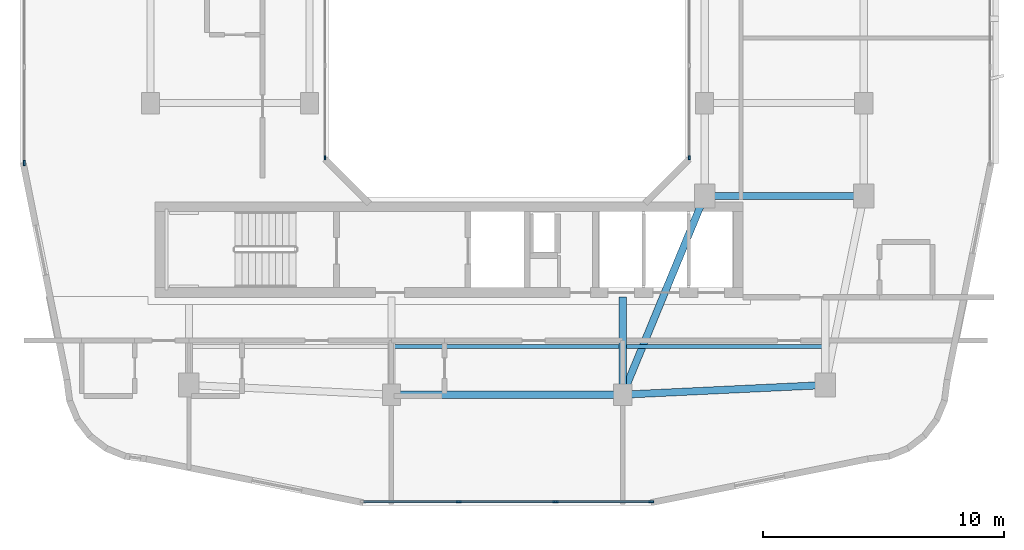
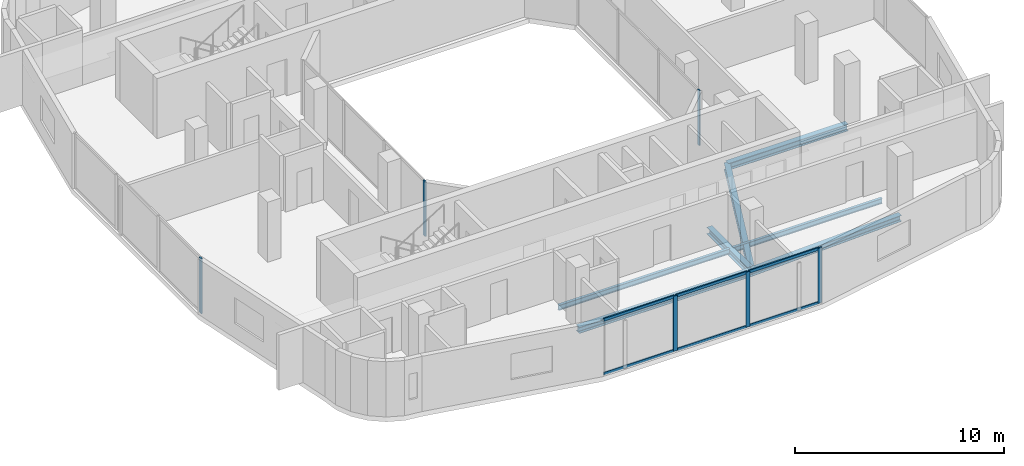
# One storey, part 2 of 14: 12 members, 7 beams, 4 elements without a shape of their own.
"""IFC4 building model written with IfcOpenShell, lengths in metres."""

from ifc_helpers import new_model, si_unit, derived_unit, direction, frame, origin, origin_2d, place, context, subcontext, project, spatial, rectangle, i_section, extrude, material, layer, layer_set, material_profile, profile_set, type_object, element, aggregate, save


model = new_model("IFC4")

# Units and contexts
model_context = context("Model", 3, precision=1e-05, world=origin(), true_north=direction((0.0, 1.0)))
body_context = subcontext(model_context, "Body", "Model", "MODEL_VIEW")
ifc_project = project(units=[si_unit("LENGTHUNIT", "METRE"), si_unit("AREAUNIT", "SQUARE_METRE"), si_unit("VOLUMEUNIT", "CUBIC_METRE"), si_unit("PLANEANGLEUNIT", "RADIAN"), si_unit("MASSUNIT", "GRAM", prefix="KILO"), derived_unit("THERMALTRANSMITTANCEUNIT", [(si_unit("POWERUNIT", "WATT"), 1), (si_unit("LENGTHUNIT", "METRE"), -2), (si_unit("THERMODYNAMICTEMPERATUREUNIT", "KELVIN"), -1)])], contexts=[model_context])

# Site, building, storey
site_placement = place(None, origin())
site = spatial("IfcSite", under=ifc_project, at=site_placement, CompositionType="ELEMENT")
building_placement = place(site_placement, origin())
building = spatial("IfcBuilding", under=site, at=building_placement, Name="Kivonza Crest Hotel", CompositionType="ELEMENT")
storey_placement = place(building_placement, frame((0.0, 0.0, 145.0)))
storey = spatial("IfcBuildingStorey", under=building, at=storey_placement, Name="L39", CompositionType="ELEMENT", Elevation=145.0)

# Beams
ifc_material_1 = material(Name="Steel S355", Category="steel")
ifc_material_profile_1 = material_profile(ifc_material_1, i_section(OverallWidth=0.300048828125, OverallDepth=0.360107421875, WebThickness=0.012451171875, FlangeThickness=0.0224609375, FilletRadius=0.027099609375, at=origin_2d()), Name="HEB 360")
ifc_profile_set_1 = profile_set([ifc_material_profile_1], Name="Steel S355")
beam_type_1 = type_object("IfcBeamType", Name="BM-HEB360", PredefinedType="SPANDREL", material=ifc_profile_set_1)
beam_1_placement = place(storey_placement, frame((16.199951171875, 9.39990234375, -0.4599609375), z_axis=(1.0, 0.0, 0.0), x_axis=(0.0, 1.0, 0.0)))
element("IfcBeam", 1, at=beam_1_placement, inside=storey, type_object=beam_type_1, Name="Tower T1 L39 perimeter spandrel S1-S2", PredefinedType="SPANDREL", context=body_context, shape_type="SweptSolid", body=[
    extrude(i_section(OverallWidth=0.300048828125, OverallDepth=0.360107421875, WebThickness=0.012451171875, FlangeThickness=0.0224609375, FilletRadius=0.027099609375, at=origin_2d()), origin(), (0.0, 0.0, 1.0), 9.60009765625),
])
beam_2_placement = place(storey_placement, frame((25.800048828125, 9.39990234375, -0.4599609375), z_axis=(0.998867283688, 0.047583080799, 0.0), x_axis=(-0.047583080799, 0.998867283688, 0.0)))
element("IfcBeam", 2, at=beam_2_placement, inside=storey, type_object=beam_type_1, Name="Tower T1 L39 perimeter spandrel S2-SE", PredefinedType="SPANDREL", context=body_context, shape_type="SweptSolid", body=[
    extrude(i_section(OverallWidth=0.300048828125, OverallDepth=0.360107421875, WebThickness=0.012451171875, FlangeThickness=0.0224609375, FilletRadius=0.027099609375, at=origin_2d()), origin(), (0.0, 0.0, 1.0), 8.409423828125),
])
ifc_material_profile_2 = material_profile(ifc_material_1, i_section(OverallWidth=0.300048828125, OverallDepth=0.39990234375, WebThickness=0.013427734375, FlangeThickness=0.02392578125, FilletRadius=0.027099609375, at=origin_2d()), Name="HEB 400")
ifc_profile_set_2 = profile_set([ifc_material_profile_2], Name="Steel S355")
beam_type_2 = type_object("IfcBeamType", Name="BM-HEB400", PredefinedType="BEAM", material=ifc_profile_set_2)
beam_3_placement = place(storey_placement, frame((25.800048828125, 9.39990234375, -0.47998046875), z_axis=(0.381022260404, 0.924565864109, 0.0), x_axis=(-0.924565864109, 0.381022260404, 0.0)))
element("IfcBeam", 3, at=beam_3_placement, inside=storey, type_object=beam_type_2, Name="Tower T1 L39 primary girder S1-TSE", PredefinedType="BEAM", context=body_context, shape_type="SweptSolid", body=[
    extrude(i_section(OverallWidth=0.300048828125, OverallDepth=0.39990234375, WebThickness=0.013427734375, FlangeThickness=0.02392578125, FilletRadius=0.027099609375, at=origin_2d()), origin(), (0.0, 0.0, 1.0), 8.923095703125),
])
beam_4_placement = place(storey_placement, frame((29.199951171875, 17.64990234375, -0.47998046875), z_axis=(1.0, 0.0, 0.0), x_axis=(0.0, 1.0, 0.0)))
element("IfcBeam", 4, at=beam_4_placement, inside=storey, type_object=beam_type_2, Name="Tower T1 L39 primary girder TSE-PSE", PredefinedType="BEAM", context=body_context, shape_type="SweptSolid", body=[
    extrude(i_section(OverallWidth=0.300048828125, OverallDepth=0.39990234375, WebThickness=0.013427734375, FlangeThickness=0.02392578125, FilletRadius=0.027099609375, at=origin_2d()), origin(), (0.0, 0.0, 1.0), 6.60009765625),
])
beam_5_placement = place(storey_placement, frame((25.800048828125, 9.39990234375, -0.47998046875), z_axis=(0.0, 1.0, 0.0), x_axis=(-1.0, 0.0, 0.0)))
element("IfcBeam", 5, at=beam_5_placement, inside=storey, type_object=beam_type_2, Name="Tower T1 L39 radial core girder RS2", PredefinedType="BEAM", context=body_context, shape_type="SweptSolid", body=[
    extrude(i_section(OverallWidth=0.300048828125, OverallDepth=0.39990234375, WebThickness=0.013427734375, FlangeThickness=0.02392578125, FilletRadius=0.027099609375, at=origin_2d()), origin(), (0.0, 0.0, 1.0), 4.050048828125),
])
ifc_material_profile_3 = material_profile(ifc_material_1, i_section(OverallWidth=0.14990234375, OverallDepth=0.300048828125, WebThickness=0.007080078125, FlangeThickness=0.0107421875, FilletRadius=0.014892578125, at=origin_2d()), Name="IPE 300")
ifc_profile_set_3 = profile_set([ifc_material_profile_3], Name="Steel S355")
beam_type_3 = type_object("IfcBeamType", Name="BM-IPE300", PredefinedType="JOIST", material=ifc_profile_set_3)
beam_6_placement = place(storey_placement, frame((16.280029296875, 11.39990234375, -0.429931640625), z_axis=(1.0, 0.0, 0.0), x_axis=(0.0, 1.0, 0.0)))
element("IfcBeam", 6, at=beam_6_placement, inside=storey, type_object=beam_type_3, Name="Tower T1 L39 South-Mid floor joist", PredefinedType="JOIST", context=body_context, shape_type="SweptSolid", body=[
    extrude(i_section(OverallWidth=0.14990234375, OverallDepth=0.300048828125, WebThickness=0.007080078125, FlangeThickness=0.0107421875, FilletRadius=0.014892578125, at=origin_2d()), origin(), (0.0, 0.0, 1.0), 9.43994140625),
])
beam_7_placement = place(storey_placement, frame((25.8798828125, 11.39990234375, -0.429931640625), z_axis=(1.0, 0.0, 0.0), x_axis=(0.0, 1.0, 0.0)))
element("IfcBeam", 7, at=beam_7_placement, inside=storey, type_object=beam_type_3, Name="Tower T1 L39 South-East floor joist", PredefinedType="JOIST", context=body_context, shape_type="SweptSolid", body=[
    extrude(i_section(OverallWidth=0.14990234375, OverallDepth=0.300048828125, WebThickness=0.007080078125, FlangeThickness=0.0107421875, FilletRadius=0.014892578125, at=origin_2d()), origin(), (0.0, 0.0, 1.0), 8.240234375),
])

# Curtain wall, member
ifc_material_2 = material(Name="Anodised bronze aluminium and low-E double glazing", Category="aluminium")
ifc_layer_1 = layer(ifc_material_2, 0.159912109375)
ifc_layer_set_1 = layer_set([ifc_layer_1], Name="Anodised bronze aluminium and low-E double glazing")
curtain_wall_type_1 = type_object("IfcCurtainWallType", Name="CW-SYS-5", PredefinedType="NOTDEFINED", material=ifc_layer_set_1)
curtain_wall_1_placement = place(storey_placement, origin())
curtain_wall_1 = element("IfcCurtainWall", 8, at=curtain_wall_1_placement, inside=storey, type_object=curtain_wall_type_1, Name="L39 unitised curtain wall CW-WELL-T1-L39-3", PredefinedType="NOTDEFINED")
ifc_material_3 = material(Name="Anodised bronze aluminium", Category="aluminium")
ifc_material_profile_4 = material_profile(ifc_material_3, rectangle(XDim=0.06494140625, YDim=0.179931640625, at=origin_2d()), Name="CW-M 65x180")
ifc_profile_set_4 = profile_set([ifc_material_profile_4], Name="Anodised bronze aluminium")
member_type_1 = type_object("IfcMemberType", Name="CW-MUL-65x180", PredefinedType="MULLION", material=ifc_profile_set_4)
member_1_placement = place(storey_placement, frame((28.56005859375, 19.232421875, 0.0), z_axis=(0.0, 0.0, 1.0), x_axis=(-1.0, 0.0, 0.0)))
member_1 = element("IfcMember", 9, at=member_1_placement, type_object=member_type_1, Name="CW-5 mullion 1", PredefinedType="MULLION", context=body_context, shape_type="SweptSolid", body=[
    extrude(rectangle(XDim=0.06494140625, YDim=0.179931640625, at=origin_2d()), origin(), (0.0, 0.0, 1.0), 3.219970703125),
])
aggregate(curtain_wall_1, [member_1])

curtain_wall_2_placement = place(storey_placement, origin())
curtain_wall_2 = element("IfcCurtainWall", 10, at=curtain_wall_2_placement, inside=storey, type_object=curtain_wall_type_1, Name="L39 unitised curtain wall CW-WELL-T1-L39-7", PredefinedType="NOTDEFINED")
member_2_placement = place(storey_placement, frame((13.43994140625, 19.232421875, 0.0), z_axis=(0.0, 0.0, 1.0), x_axis=(1.0, 0.0, 0.0)))
member_2 = element("IfcMember", 11, at=member_2_placement, type_object=member_type_1, Name="CW-5 mullion 4", PredefinedType="MULLION", context=body_context, shape_type="SweptSolid", body=[
    extrude(rectangle(XDim=0.06494140625, YDim=0.179931640625, at=origin_2d()), origin(), (0.0, 0.0, 1.0), 3.219970703125),
])
aggregate(curtain_wall_2, [member_2])

# Curtain wall, members
ifc_layer_2 = layer(ifc_material_2, 0.179931640625)
ifc_layer_set_2 = layer_set([ifc_layer_2], Name="Anodised bronze aluminium and low-E double glazing")
curtain_wall_type_2 = type_object("IfcCurtainWallType", Name="CW-SYS-3", PredefinedType="NOTDEFINED", material=ifc_layer_set_2)
curtain_wall_3_placement = place(storey_placement, origin())
curtain_wall_3 = element("IfcCurtainWall", 12, at=curtain_wall_3_placement, inside=storey, type_object=curtain_wall_type_2, Name="L39 unitised curtain wall CW-T1-L39-08", PredefinedType="NOTDEFINED")
ifc_material_profile_5 = material_profile(ifc_material_3, rectangle(XDim=0.074951171875, YDim=0.219970703125, at=origin_2d()), Name="CW-M 75x220")
ifc_profile_set_5 = profile_set([ifc_material_profile_5], Name="Anodised bronze aluminium")
member_type_2 = type_object("IfcMemberType", Name="CW-MUL-75x220", PredefinedType="MULLION", material=ifc_profile_set_5)
member_3_placement = place(storey_placement, frame((18.993408203125, 4.9599609375, 0.0), z_axis=(0.0, 0.0, 1.0), x_axis=(0.0, 1.0, 0.0)))
member_3 = element("IfcMember", 13, at=member_3_placement, type_object=member_type_2, Name="CW-3 mullion 2", PredefinedType="MULLION", context=body_context, shape_type="SweptSolid", body=[
    extrude(rectangle(XDim=0.074951171875, YDim=0.219970703125, at=origin_2d()), origin(), (0.0, 0.0, 1.0), 3.219970703125),
])
member_4_placement = place(storey_placement, frame((23.006591796875, 4.9599609375, 0.0), z_axis=(0.0, 0.0, 1.0), x_axis=(0.0, 1.0, 0.0)))
member_4 = element("IfcMember", 14, at=member_4_placement, type_object=member_type_2, Name="CW-3 mullion 3", PredefinedType="MULLION", context=body_context, shape_type="SweptSolid", body=[
    extrude(rectangle(XDim=0.074951171875, YDim=0.219970703125, at=origin_2d()), origin(), (0.0, 0.0, 1.0), 3.219970703125),
])
member_5_placement = place(storey_placement, frame((26.982421875, 4.9599609375, 0.0), z_axis=(0.0, 0.0, 1.0), x_axis=(0.0, 1.0, 0.0)))
member_5 = element("IfcMember", 15, at=member_5_placement, type_object=member_type_2, Name="CW-3 mullion 4", PredefinedType="MULLION", context=body_context, shape_type="SweptSolid", body=[
    extrude(rectangle(XDim=0.074951171875, YDim=0.219970703125, at=origin_2d()), origin(), (0.0, 0.0, 1.0), 3.219970703125),
])

# Curtain wall, member
curtain_wall_4_placement = place(storey_placement, origin())
curtain_wall_4 = element("IfcCurtainWall", 16, at=curtain_wall_4_placement, inside=storey, type_object=curtain_wall_type_2, Name="L39 unitised curtain wall CW-T1-L39-35", PredefinedType="NOTDEFINED")
member_6_placement = place(storey_placement, frame((0.9599609375, 19.017578125, 0.0), z_axis=(0.0, 0.0, 1.0), x_axis=(1.0, 0.0, 0.0)))
member_6 = element("IfcMember", 17, at=member_6_placement, type_object=member_type_2, Name="CW-3 mullion 4", PredefinedType="MULLION", context=body_context, shape_type="SweptSolid", body=[
    extrude(rectangle(XDim=0.074951171875, YDim=0.219970703125, at=origin_2d()), origin(), (0.0, 0.0, 1.0), 3.219970703125),
])
aggregate(curtain_wall_4, [member_6])

# Member
ifc_material_profile_6 = material_profile(ifc_material_3, rectangle(XDim=0.074951171875, YDim=0.159912109375, at=origin_2d()), Name="CW-T 75x160")
ifc_profile_set_6 = profile_set([ifc_material_profile_6], Name="Anodised bronze aluminium")
member_type_3 = type_object("IfcMemberType", Name="CW-TRN-75x160", PredefinedType="USERDEFINED", material=ifc_profile_set_6)
member_7_placement = place(storey_placement, frame((15.054931640625, 4.9599609375, 0.03759765625), z_axis=(1.0, 0.0, 0.0), x_axis=(0.0, 1.0, 0.0)))
member_7 = element("IfcMember", 18, at=member_7_placement, type_object=member_type_3, Name="CW-3 transom 1.1", ObjectType="TRANSOM", PredefinedType="USERDEFINED", context=body_context, shape_type="SweptSolid", body=[
    extrude(rectangle(XDim=0.074951171875, YDim=0.159912109375, at=origin_2d()), origin(), (0.0, 0.0, 1.0), 3.90087890625),
])

member_8_placement = place(storey_placement, frame((15.054931640625, 4.9599609375, 3.1826171875), z_axis=(1.0, 0.0, 0.0), x_axis=(0.0, 1.0, 0.0)))
member_8 = element("IfcMember", 19, at=member_8_placement, type_object=member_type_3, Name="CW-3 transom 1.2", ObjectType="TRANSOM", PredefinedType="USERDEFINED", context=body_context, shape_type="SweptSolid", body=[
    extrude(rectangle(XDim=0.074951171875, YDim=0.159912109375, at=origin_2d()), origin(), (0.0, 0.0, 1.0), 3.90087890625),
])

member_9_placement = place(storey_placement, frame((19.03076171875, 4.9599609375, 0.03759765625), z_axis=(1.0, 0.0, 0.0), x_axis=(0.0, 1.0, 0.0)))
member_9 = element("IfcMember", 20, at=member_9_placement, type_object=member_type_3, Name="CW-3 transom 2.1", ObjectType="TRANSOM", PredefinedType="USERDEFINED", context=body_context, shape_type="SweptSolid", body=[
    extrude(rectangle(XDim=0.074951171875, YDim=0.159912109375, at=origin_2d()), origin(), (0.0, 0.0, 1.0), 3.9384765625),
])

member_10_placement = place(storey_placement, frame((19.03076171875, 4.9599609375, 3.1826171875), z_axis=(1.0, 0.0, 0.0), x_axis=(0.0, 1.0, 0.0)))
member_10 = element("IfcMember", 21, at=member_10_placement, type_object=member_type_3, Name="CW-3 transom 2.2", ObjectType="TRANSOM", PredefinedType="USERDEFINED", context=body_context, shape_type="SweptSolid", body=[
    extrude(rectangle(XDim=0.074951171875, YDim=0.159912109375, at=origin_2d()), origin(), (0.0, 0.0, 1.0), 3.9384765625),
])

member_11_placement = place(storey_placement, frame((23.044189453125, 4.9599609375, 0.03759765625), z_axis=(1.0, 0.0, 0.0), x_axis=(0.0, 1.0, 0.0)))
member_11 = element("IfcMember", 22, at=member_11_placement, type_object=member_type_3, Name="CW-3 transom 3.1", ObjectType="TRANSOM", PredefinedType="USERDEFINED", context=body_context, shape_type="SweptSolid", body=[
    extrude(rectangle(XDim=0.074951171875, YDim=0.159912109375, at=origin_2d()), origin(), (0.0, 0.0, 1.0), 3.90087890625),
])

member_12_placement = place(storey_placement, frame((23.044189453125, 4.9599609375, 3.1826171875), z_axis=(1.0, 0.0, 0.0), x_axis=(0.0, 1.0, 0.0)))
member_12 = element("IfcMember", 23, at=member_12_placement, type_object=member_type_3, Name="CW-3 transom 3.2", ObjectType="TRANSOM", PredefinedType="USERDEFINED", context=body_context, shape_type="SweptSolid", body=[
    extrude(rectangle(XDim=0.074951171875, YDim=0.159912109375, at=origin_2d()), origin(), (0.0, 0.0, 1.0), 3.90087890625),
])

aggregate(curtain_wall_3, [member_3, member_4, member_5, member_7, member_8, member_9, member_10, member_11, member_12])

save(model, "model.ifc")
